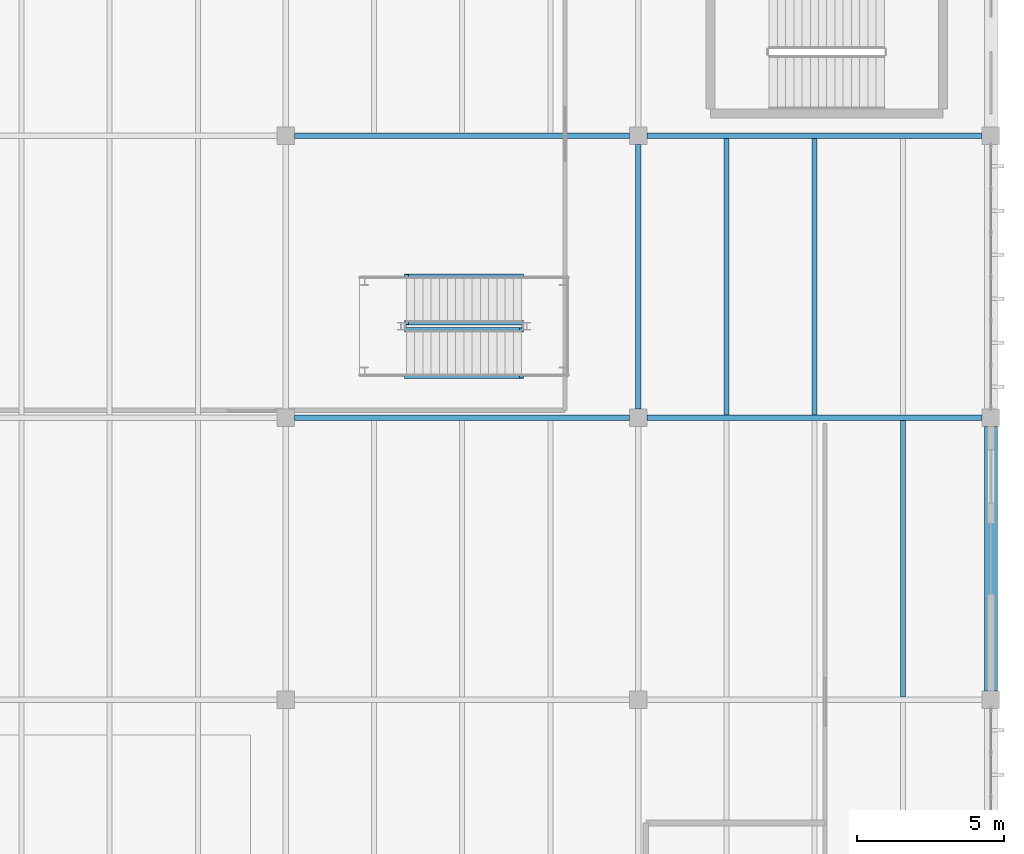
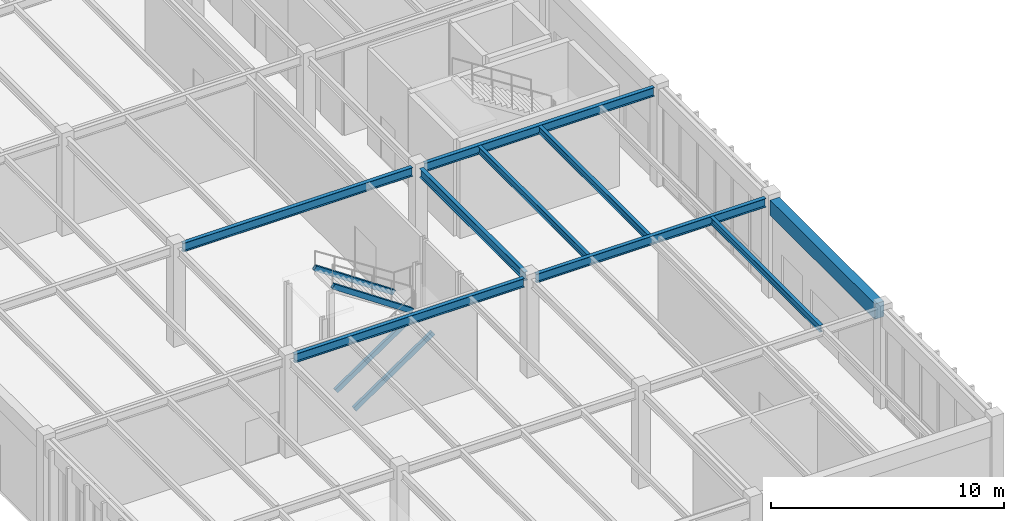
# One storey, part 95 of 188: 9 beams, 4 members.
"""IFC4 building model written with IfcOpenShell, lengths in metres."""

from ifc_helpers import new_model, si_unit, direction, frame, origin, origin_2d, place, context, subcontext, project, spatial, rectangle, hollow_rectangle, i_section, extrude, material, material_profile, profile_set, type_object, element, save


model = new_model("IFC4")

# Units and contexts
model_context = context("Model", 3, precision=1e-05, world=origin(), true_north=direction((0.0, 1.0)))
body_context = subcontext(model_context, "Body", "Model", "MODEL_VIEW")
ifc_project = project(units=[si_unit("LENGTHUNIT", "METRE"), si_unit("AREAUNIT", "SQUARE_METRE"), si_unit("VOLUMEUNIT", "CUBIC_METRE"), si_unit("PLANEANGLEUNIT", "RADIAN"), si_unit("MASSUNIT", "GRAM", prefix="KILO")], contexts=[model_context])

# Site, building, storey
site_placement = place(None, origin())
site = spatial("IfcSite", under=ifc_project, at=site_placement, CompositionType="ELEMENT")
building_placement = place(site_placement, origin())
building = spatial("IfcBuilding", under=site, at=building_placement, Name="Pandanus Reach Market Hall", CompositionType="ELEMENT")
storey_placement = place(building_placement, origin())
storey = spatial("IfcBuildingStorey", under=building, at=storey_placement, Name="L00", CompositionType="ELEMENT", Elevation=0.0)

# Beams
ifc_material_1 = material(Name="Concrete N40 (40 MPa)", Category="concrete")
ifc_material_profile_1 = material_profile(ifc_material_1, rectangle(XDim=0.449951171875, YDim=0.800048828125, at=origin_2d()), Name="RC450x800", Category="LoadBearing")
ifc_profile_set_1 = profile_set([ifc_material_profile_1], Name="Concrete N40 (40 MPa)")
beam_type_1 = type_object("IfcBeamType", Name="BM-RC450-E", PredefinedType="SPANDREL", material=ifc_profile_set_1)
beam_1_placement = place(storey_placement, frame((180.0, 9.89794921875, 4.72509765625), z_axis=(0.0, 1.0, 0.0), x_axis=(-1.0, 0.0, 0.0)))
element("IfcBeam", 1, at=beam_1_placement, inside=storey, type_object=beam_type_1, Name="Framing beam BM-RC450-E L00.219", PredefinedType="SPANDREL", context=body_context, shape_type="SweptSolid", body=[
    extrude(rectangle(XDim=0.449951171875, YDim=0.800048828125, at=origin_2d()), origin(), (0.0, 0.0, 1.0), 9.004150390625),
])
ifc_material_2 = material(Name="Steel Grade 350 (350 MPa)", Category="steel")
ifc_material_profile_2 = material_profile(ifc_material_2, i_section(OverallWidth=0.19091796875, OverallDepth=0.4599609375, WebThickness=0.010009765625, FlangeThickness=0.01611328125, at=origin_2d()), Name="460UB82.1", Category="LoadBearing")
ifc_profile_set_2 = profile_set([ifc_material_profile_2], Name="Steel Grade 350 (350 MPa)")
beam_type_2 = type_object("IfcBeamType", Name="BM-UB460H-I", PredefinedType="BEAM", material=ifc_profile_set_2)
for number, where, z_axis, x_axis, name in (
    (2, (156.298095703125, 19.199951171875, 4.89453125), (1.0, 0.0, 0.0), (0.0, 1.0, 0.0), "Framing beam BM-UB460H-I L00.162"),
    (3, (168.298095703125, 19.199951171875, 4.89453125), (1.0, 0.0, 0.0), (0.0, 1.0, 0.0), "Framing beam BM-UB460H-I L00.163"),
    (4, (156.298095703125, 28.800048828125, 4.89453125), (1.0, 0.0, 0.0), (0.0, 1.0, 0.0), "Framing beam BM-UB460H-I L00.165"),
    (5, (168.298095703125, 28.800048828125, 4.89453125), (1.0, 0.0, 0.0), (0.0, 1.0, 0.0), "Framing beam BM-UB460H-I L00.166"),
):
    element("IfcBeam", number, at=place(storey_placement, frame(where, z_axis=z_axis, x_axis=x_axis)), inside=storey, type_object=beam_type_2, Name=name, PredefinedType="BEAM", context=body_context, shape_type="SweptSolid", body=[
        extrude(i_section(OverallWidth=0.19091796875, OverallDepth=0.4599609375, WebThickness=0.010009765625, FlangeThickness=0.01611328125, at=origin_2d()), origin(), (0.0, 0.0, 1.0), 11.40380859375),
    ])
beam_2_placement = place(storey_placement, frame((168.0, 19.498046875, 4.89453125), z_axis=(0.0, 1.0, 0.0), x_axis=(-1.0, 0.0, 0.0)))
element("IfcBeam", 6, at=beam_2_placement, inside=storey, type_object=beam_type_2, Name="Framing beam BM-UB460H-I L00.210", PredefinedType="BEAM", context=body_context, shape_type="SweptSolid", body=[
    extrude(i_section(OverallWidth=0.19091796875, OverallDepth=0.4599609375, WebThickness=0.010009765625, FlangeThickness=0.01611328125, at=origin_2d()), origin(), (0.0, 0.0, 1.0), 9.00390625),
])
ifc_material_profile_3 = material_profile(ifc_material_2, i_section(OverallWidth=0.172119140625, OverallDepth=0.35888671875, WebThickness=0.008056640625, FlangeThickness=0.012939453125, at=origin_2d()), Name="360UB56.7", Category="LoadBearing")
ifc_profile_set_3 = profile_set([ifc_material_profile_3], Name="Steel Grade 350 (350 MPa)")
beam_type_3 = type_object("IfcBeamType", Name="JS-UB360H-I", PredefinedType="JOIST", material=ifc_profile_set_3)
beam_3_placement = place(storey_placement, frame((177.0, 9.693603515625, 4.945068359375), z_axis=(0.0, 1.0, 0.0), x_axis=(-1.0, 0.0, 0.0)))
element("IfcBeam", 7, at=beam_3_placement, inside=storey, type_object=beam_type_3, Name="Secondary joist JS-UB360H-I L00.287", PredefinedType="JOIST", context=body_context, shape_type="SweptSolid", body=[
    extrude(i_section(OverallWidth=0.172119140625, OverallDepth=0.35888671875, WebThickness=0.008056640625, FlangeThickness=0.012939453125, at=origin_2d()), origin(), (0.0, 0.0, 1.0), 9.412841796875),
])
for number, where, z_axis, x_axis, name in (
    (8, (171.0, 19.29345703125, 4.945068359375), (0.0, 1.0, 0.0), (-1.0, 0.0, 0.0), "Secondary joist JS-UB360H-I L00.288"),
    (9, (174.0, 19.29345703125, 4.945068359375), (0.0, 1.0, 0.0), (-1.0, 0.0, 0.0), "Secondary joist JS-UB360H-I L00.289"),
):
    element("IfcBeam", number, at=place(storey_placement, frame(where, z_axis=z_axis, x_axis=x_axis)), inside=storey, type_object=beam_type_3, Name=name, PredefinedType="JOIST", context=body_context, shape_type="SweptSolid", body=[
        extrude(i_section(OverallWidth=0.172119140625, OverallDepth=0.35888671875, WebThickness=0.008056640625, FlangeThickness=0.012939453125, at=origin_2d()), origin(), (0.0, 0.0, 1.0), 9.4130859375),
    ])

# Members
ifc_material_profile_4 = material_profile(ifc_material_2, hollow_rectangle(XDim=0.14990234375, YDim=0.25, WallThickness=0.009033203125, at=origin_2d()), Name="250x150x9.0RHS", Category="LoadBearing")
ifc_profile_set_4 = profile_set([ifc_material_profile_4], Name="Steel Grade 350 (350 MPa)")
member_type = type_object("IfcMemberType", Name="SG-RHS250-I", PredefinedType="STRINGER", material=ifc_profile_set_4)
for number, where, z_axis, x_axis, name in (
    (10, (160.10009765625, 20.610107421875, 0.02001953125), (0.827479195178, 0.0, 0.561496377146), (0.0, 1.0, 0.0), "Stair stringer ST-11 L00 F1L"),
    (11, (160.10009765625, 22.18994140625, 0.02001953125), (0.827479195178, 0.0, 0.561496377146), (0.0, 1.0, 0.0), "Stair stringer ST-11 L00 F1R"),
    (12, (164.02001953125, 24.010009765625, 2.719970703125), (-0.827479195178, 0.0, 0.561496377146), (0.0, -1.0, 0.0), "Stair stringer ST-11 L00 F2L"),
    (13, (164.02001953125, 22.429931640625, 2.719970703125), (-0.827479195178, 0.0, 0.561496377146), (0.0, -1.0, 0.0), "Stair stringer ST-11 L00 F2R"),
):
    element("IfcMember", number, at=place(storey_placement, frame(where, z_axis=z_axis, x_axis=x_axis)), inside=storey, type_object=member_type, Name=name, PredefinedType="STRINGER", context=body_context, shape_type="SweptSolid", body=[
        extrude(hollow_rectangle(XDim=0.14990234375, YDim=0.25, WallThickness=0.009033203125, at=origin_2d()), origin(), (0.0, 0.0, 1.0), 4.7373046875),
    ])

save(model, "model.ifc")
